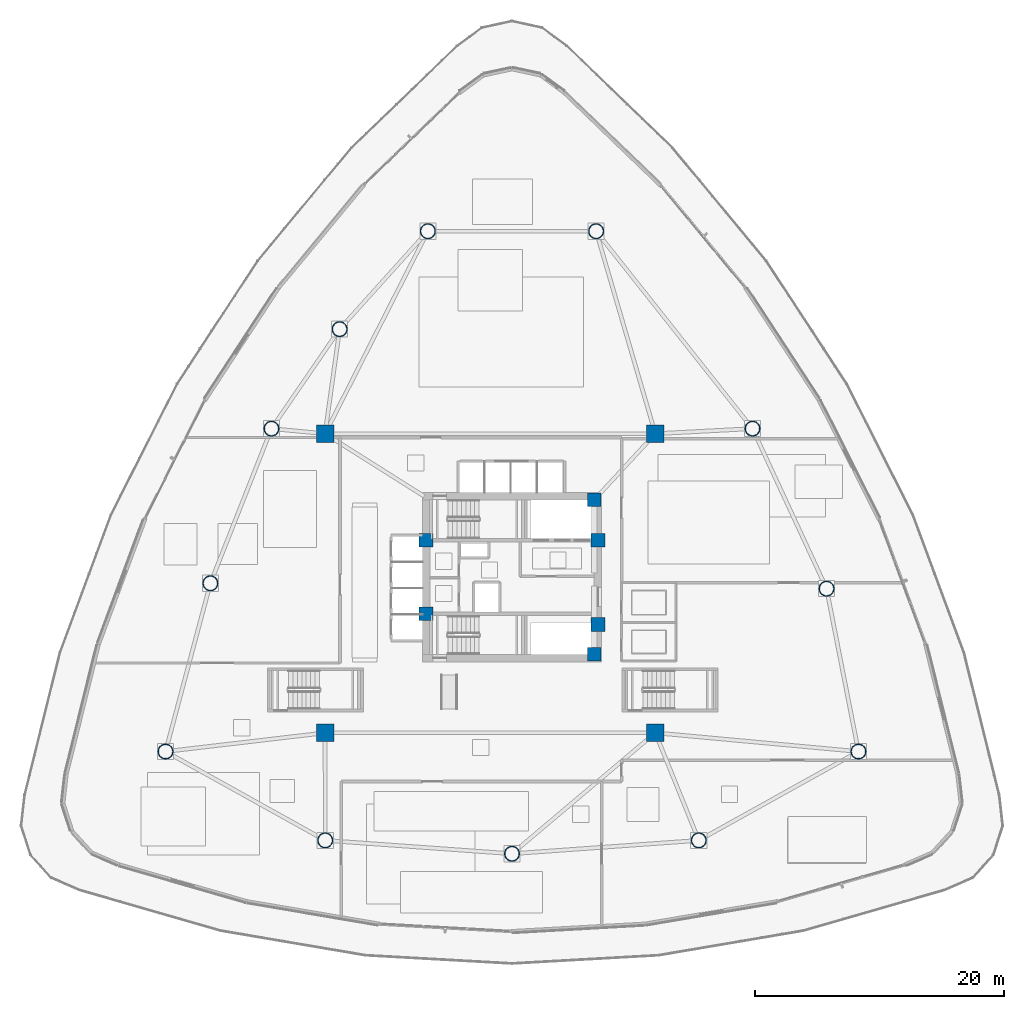
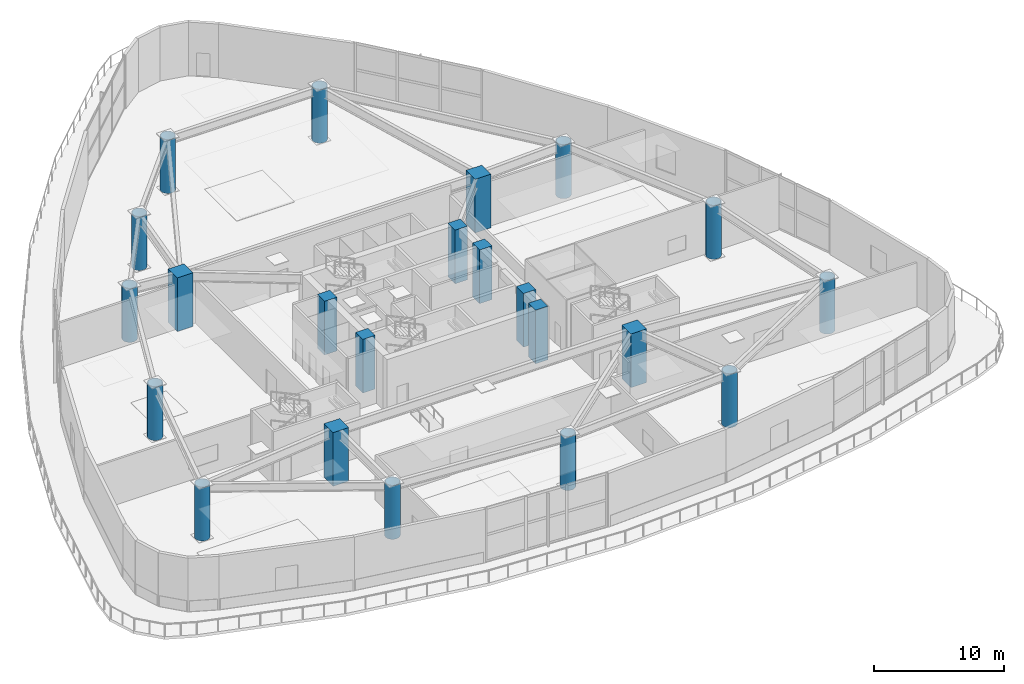
# One storey, part 1 of 25: 22 columns.
"""IFC4 building model written with IfcOpenShell, lengths in metres."""

from ifc_helpers import new_model, si_unit, direction, frame, origin, origin_2d, place, context, subcontext, project, spatial, rectangle, hollow_circle, extrude, material, material_profile, profile_set, type_object, element, save


model = new_model("IFC4")

# Units and contexts
model_context = context("Model", 3, precision=1e-05, world=origin(), true_north=direction((0.0, 1.0)))
body_context = subcontext(model_context, "Body", "Model", "MODEL_VIEW")
ifc_project = project(units=[si_unit("LENGTHUNIT", "METRE"), si_unit("AREAUNIT", "SQUARE_METRE"), si_unit("VOLUMEUNIT", "CUBIC_METRE"), si_unit("PLANEANGLEUNIT", "RADIAN"), si_unit("MASSUNIT", "GRAM", prefix="KILO")], contexts=[model_context])

# Site, building, storey
site_placement = place(None, origin())
site = spatial("IfcSite", under=ifc_project, at=site_placement, CompositionType="ELEMENT")
building_placement = place(site_placement, origin())
building = spatial("IfcBuilding", under=site, at=building_placement, Name="Tavelor Broadcast Tower", CompositionType="ELEMENT")
storey_placement = place(building_placement, frame((0.0, 0.0, 11.39990234375)))
storey = spatial("IfcBuildingStorey", under=building, at=storey_placement, Name="L02", CompositionType="ELEMENT", Elevation=11.39990234375)

# Columns
ifc_material_1 = material(Name="Concrete C60/75", Category="concrete")
ifc_material_profile_1 = material_profile(ifc_material_1, rectangle(XDim=1.10009765625, YDim=1.10009765625, at=origin_2d()), Name="RC 1100x1100")
ifc_profile_set_1 = profile_set([ifc_material_profile_1], Name="Concrete C60/75")
column_type_1 = type_object("IfcColumnType", Name="Core Embedded Composite Column RC1100", PredefinedType="COLUMN", material=ifc_profile_set_1)
for number, where, z_axis, x_axis, name in (
    (1, (43.10009765625, 47.949951171875, 0.0), (0.0, 0.0, 1.0), (1.0, 0.0, 0.0), "L02 Core Embedded Column 1"),
    (2, (56.89990234375, 47.949951171875, 0.0), (0.0, 0.0, 1.0), (1.0, 0.0, 0.0), "L02 Core Embedded Column 2"),
    (3, (56.60009765625, 51.199951171875, 0.0), (0.0, 0.0, 1.0), (1.0, 0.0, 0.0), "L02 Core Embedded Column 3"),
    (4, (43.10009765625, 42.050048828125, 0.0), (0.0, 0.0, 1.0), (1.0, 0.0, 0.0), "L02 Core Embedded Column 4"),
    (5, (56.89990234375, 41.199951171875, 0.0), (0.0, 0.0, 1.0), (1.0, 0.0, 0.0), "L02 Core Embedded Column 5"),
    (6, (56.60009765625, 38.800048828125, 0.0), (0.0, 0.0, 1.0), (1.0, 0.0, 0.0), "L02 Core Embedded Column 6"),
):
    element("IfcColumn", number, at=place(storey_placement, frame(where, z_axis=z_axis, x_axis=x_axis)), inside=storey, type_object=column_type_1, Name=name, PredefinedType="COLUMN", context=body_context, shape_type="SweptSolid", body=[
        extrude(rectangle(XDim=1.10009765625, YDim=1.10009765625, at=origin_2d()), origin(), (0.0, 0.0, 1.0), 5.050048828125),
    ])
ifc_material_profile_2 = material_profile(ifc_material_1, rectangle(XDim=1.39990234375, YDim=1.39990234375, at=origin_2d()), Name="RC 1400x1400")
ifc_profile_set_2 = profile_set([ifc_material_profile_2], Name="Concrete C60/75")
column_type_2 = type_object("IfcColumnType", Name="Podium Composite Mega Column RC1400", PredefinedType="COLUMN", material=ifc_profile_set_2)
for number, where, z_axis, x_axis, name in (
    (7, (35.0, 32.5, 0.0), (0.0, 0.0, 1.0), (1.0, 0.0, 0.0), "L02 Studio Inner Mega Column 1"),
    (8, (61.5, 32.5, 0.0), (0.0, 0.0, 1.0), (1.0, 0.0, 0.0), "L02 Studio Inner Mega Column 2"),
    (9, (61.5, 56.5, 0.0), (0.0, 0.0, 1.0), (1.0, 0.0, 0.0), "L02 Studio Inner Mega Column 3"),
    (10, (35.0, 56.5, 0.0), (0.0, 0.0, 1.0), (1.0, 0.0, 0.0), "L02 Studio Inner Mega Column 4"),
):
    element("IfcColumn", number, at=place(storey_placement, frame(where, z_axis=z_axis, x_axis=x_axis)), inside=storey, type_object=column_type_2, Name=name, PredefinedType="COLUMN", context=body_context, shape_type="SweptSolid", body=[
        extrude(rectangle(XDim=1.39990234375, YDim=1.39990234375, at=origin_2d()), origin(), (0.0, 0.0, 1.0), 5.050048828125),
    ])
ifc_material_2 = material(Name="Steel S460", Category="steel")
ifc_material_profile_3 = material_profile(ifc_material_2, hollow_circle(Radius=0.609619140625, WallThickness=0.050048828125, at=origin_2d()), Name="CHS 1219x50")
ifc_profile_set_3 = profile_set([ifc_material_profile_3], Name="Steel S460")
column_type_3 = type_object("IfcColumnType", Name="Podium Perimeter Mega Column CHS1219", PredefinedType="COLUMN", material=ifc_profile_set_3)
for number, where, z_axis, x_axis, name in (
    (11, (43.247314453125, 72.7509765625, 0.0), (0.0, 0.0, 1.0), (1.0, 0.0, 0.0), "L02 Podium Perimeter Mega Column 1"),
    (12, (36.170166015625, 64.893310546875, 0.0), (0.0, 0.0, 1.0), (1.0, 0.0, 0.0), "L02 Podium Perimeter Mega Column 2"),
    (13, (30.69921875, 56.9111328125, 0.0), (0.0, 0.0, 1.0), (1.0, 0.0, 0.0), "L02 Podium Perimeter Mega Column 3"),
    (14, (25.800048828125, 44.5, 0.0), (0.0, 0.0, 1.0), (1.0, 0.0, 0.0), "L02 Podium Perimeter Mega Column 4"),
    (15, (22.199951171875, 31.0, 0.0), (0.0, 0.0, 1.0), (1.0, 0.0, 0.0), "L02 Podium Perimeter Mega Column 5"),
    (16, (35.01220703125, 23.87109375, 0.0), (0.0, 0.0, 1.0), (1.0, 0.0, 0.0), "L02 Podium Perimeter Mega Column 6"),
    (17, (50.0, 22.800048828125, 0.0), (0.0, 0.0, 1.0), (1.0, 0.0, 0.0), "L02 Podium Perimeter Mega Column 7"),
    (18, (64.98779296875, 23.87109375, 0.0), (0.0, 0.0, 1.0), (1.0, 0.0, 0.0), "L02 Podium Perimeter Mega Column 8"),
    (19, (77.800048828125, 31.0, 0.0), (0.0, 0.0, 1.0), (1.0, 0.0, 0.0), "L02 Podium Perimeter Mega Column 9"),
    (20, (75.2412109375, 44.070068359375, 0.0), (0.0, 0.0, 1.0), (1.0, 0.0, 0.0), "L02 Podium Perimeter Mega Column 10"),
    (21, (69.30078125, 56.9111328125, 0.0), (0.0, 0.0, 1.0), (1.0, 0.0, 0.0), "L02 Podium Perimeter Mega Column 11"),
    (22, (56.752685546875, 72.7509765625, 0.0), (0.0, 0.0, 1.0), (1.0, 0.0, 0.0), "L02 Podium Perimeter Mega Column 12"),
):
    element("IfcColumn", number, at=place(storey_placement, frame(where, z_axis=z_axis, x_axis=x_axis)), inside=storey, type_object=column_type_3, Name=name, PredefinedType="COLUMN", context=body_context, shape_type="SweptSolid", body=[
        extrude(hollow_circle(Radius=0.609619140625, WallThickness=0.050048828125, at=origin_2d()), origin(), (0.0, 0.0, 1.0), 5.050048828125),
    ])

save(model, "model.ifc")
